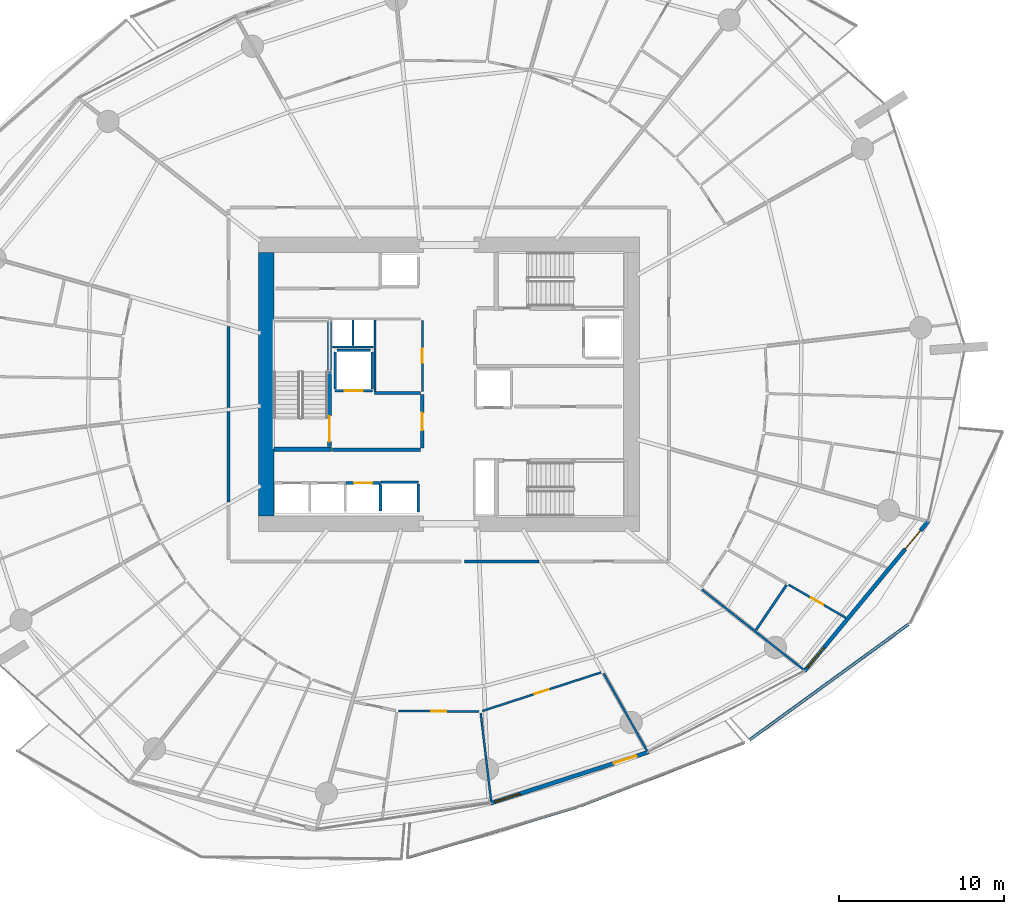
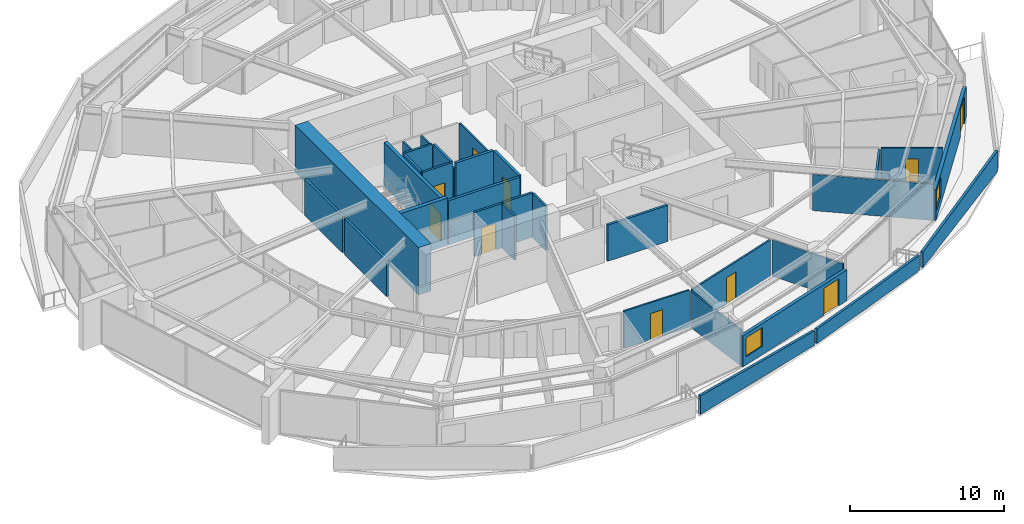
# One storey, part 19 of 30: 33 walls, 10 doors, 2 windows, 12 openings.
"""IFC4 building model written with IfcOpenShell, lengths in metres."""

from ifc_helpers import new_model, si_unit, direction, frame, frame_2d, origin, place, context, subcontext, project, spatial, polyline, rectangle, outline, extrude, material, layer, layer_set, type_object, element, fill, save


model = new_model("IFC4")

# Units and contexts
model_context = context("Model", 3, precision=1e-05, world=origin(), true_north=direction((0.0, 1.0)))
body_context = subcontext(model_context, "Body", "Model", "MODEL_VIEW")
ifc_project = project(units=[si_unit("LENGTHUNIT", "METRE"), si_unit("AREAUNIT", "SQUARE_METRE"), si_unit("VOLUMEUNIT", "CUBIC_METRE"), si_unit("PLANEANGLEUNIT", "RADIAN"), si_unit("MASSUNIT", "GRAM", prefix="KILO")], contexts=[model_context])

# Site, building, storey
site_placement = place(None, origin())
site = spatial("IfcSite", under=ifc_project, at=site_placement, CompositionType="ELEMENT")
building_placement = place(site_placement, origin())
building = spatial("IfcBuilding", under=site, at=building_placement, Name="Kazma Halo Residences", CompositionType="ELEMENT")
storey_placement = place(building_placement, frame((0.0, 0.0, 56.39990234375)))
storey = spatial("IfcBuildingStorey", under=building, at=storey_placement, Name="L13", CompositionType="ELEMENT", Elevation=56.39990234375)

# Walls
ifc_material_1 = material(Name="White Concrete C50/60 Balustrade", Category="concrete")
ifc_layer_1 = layer(ifc_material_1, 0.179931640625)
ifc_layer_set_1 = layer_set([ifc_layer_1], Name="White Concrete C50/60 Balustrade")
wall_type_1 = type_object("IfcWallType", Name="WL-BAL-WAVE-180", PredefinedType="PARAPET", material=ifc_layer_set_1)
wall_1_placement = place(storey_placement, frame((45.91259765625, 13.2294921875, 0.0), z_axis=(0.0, 0.0, 1.0), x_axis=(0.957966698042, 0.286879426664, 0.0)))
element("IfcWall", 1, at=wall_1_placement, inside=storey, type_object=wall_type_1, Name="L13 white wave balustrade wall SSE.1", PredefinedType="PARAPET", context=body_context, shape_type="SweptSolid", body=[
    extrude(outline(polyline([(0.0, 0.0), (10.758544921875, 0.0), (10.7587890625, 1.148193359375), (5.37939453125, 1.2841796875), (0.0, 1.483154296875), (0.0, 0.0)])), frame((0.0, 0.08984375, 0.0), z_axis=(0.0, -1.0, 0.0), x_axis=(1.0, 0.0, 0.0)), (0.0, 0.0, 1.0), 0.179931640625),
])
wall_2_placement = place(storey_placement, frame((56.446044921875, 16.393798828125, 0.0), z_axis=(0.0, 0.0, 1.0), x_axis=(0.932670029618, 0.360730669409, 0.0)))
element("IfcWall", 2, at=wall_2_placement, inside=storey, type_object=wall_type_1, Name="L13 white wave balustrade wall SSE.2", PredefinedType="PARAPET", context=body_context, shape_type="SweptSolid", body=[
    extrude(outline(polyline([(0.0, 0.0), (10.634521484375, 0.0), (10.634521484375, 1.22412109375), (5.3173828125, 1.127197265625), (0.0, 1.148193359375), (0.0, 0.0)])), frame((0.0, 0.08984375, 0.0), z_axis=(0.0, -1.0, 0.0), x_axis=(1.0, 0.0, 0.0)), (0.0, 0.0, 1.0), 0.179931640625),
])
wall_3_placement = place(storey_placement, frame((66.690673828125, 20.384765625, 0.0), z_axis=(0.0, 0.0, 1.0), x_axis=(0.808711385096, 0.588205657586, 0.0)))
element("IfcWall", 3, at=wall_3_placement, inside=storey, type_object=wall_type_1, Name="L13 white wave balustrade wall SE.1", PredefinedType="PARAPET", context=body_context, shape_type="SweptSolid", body=[
    extrude(outline(polyline([(0.0, 0.0), (11.96875, 0.0), (11.968505859375, 1.632080078125), (5.984375, 1.418212890625), (0.0, 1.233154296875), (0.0, 0.0)])), frame((0.0, 0.08984375, 0.0), z_axis=(0.0, -1.0, 0.0), x_axis=(1.0, 0.0, 0.0)), (0.0, 0.0, 1.0), 0.179931640625),
])
ifc_material_2 = material(Name="Concrete C80/95", Category="concrete")
ifc_layer_2 = layer(ifc_material_2, 0.949951171875)
ifc_layer_set_2 = layer_set([ifc_layer_2], Name="Concrete C80/95")
wall_type_2 = type_object("IfcWallType", Name="WL-CORE-950", PredefinedType="SHEAR", material=ifc_layer_set_2)
wall_4_placement = place(storey_placement, frame((37.324951171875, 34.0, 0.0), z_axis=(0.0, 0.0, 1.0), x_axis=(0.0, 1.0, 0.0)))
element("IfcWall", 4, at=wall_4_placement, inside=storey, type_object=wall_type_2, Name="L13 central core shear wall W", PredefinedType="SHEAR", context=body_context, shape_type="SweptSolid", body=[
    extrude(rectangle(XDim=16.0, YDim=0.949951171875, at=frame_2d((8.0, 0.0))), origin(), (0.0, 0.0, 1.0), 3.75),
])
ifc_material_3 = material(Name="Concrete C60/75", Category="concrete")
ifc_layer_3 = layer(ifc_material_3, 0.280029296875)
ifc_layer_set_3 = layer_set([ifc_layer_3], Name="Concrete C60/75")
wall_type_3 = type_object("IfcWallType", Name="WL-CORE-ST-280", PredefinedType="SHEAR", material=ifc_layer_set_3)
wall_5_placement = place(storey_placement, frame((37.800048828125, 38.06005859375, 0.0), z_axis=(0.0, 0.0, 1.0), x_axis=(1.0, 0.0, 0.0)))
element("IfcWall", 5, at=wall_5_placement, inside=storey, type_object=wall_type_3, Name="L13 stairwell bearing wall ST01-S", PredefinedType="SHEAR", context=body_context, shape_type="SweptSolid", body=[
    extrude(rectangle(XDim=3.5, YDim=0.280029296875, at=frame_2d((1.75, 0.0))), origin(), (0.0, 0.0, 1.0), 3.75),
])
ifc_material_4 = material(Name="Acoustic Twin-Stud Gypsum")
ifc_layer_4 = layer(ifc_material_4, 0.179931640625)
ifc_layer_set_4 = layer_set([ifc_layer_4], Name="Acoustic Twin-Stud Gypsum")
wall_type_4 = type_object("IfcWallType", Name="WL-DEM-180", PredefinedType="PARTITIONING", material=ifc_layer_set_4)
wall_6_placement = place(storey_placement, frame((35.050048828125, 45.5322265625, 0.0), z_axis=(0.0, 0.0, 1.0), x_axis=(0.0, -1.0, 0.0)))
element("IfcWall", 6, at=wall_6_placement, inside=storey, type_object=wall_type_4, Name="L13 Apartment 2 inner wall 6", PredefinedType="PARTITIONING", context=body_context, shape_type="SweptSolid", body=[
    extrude(rectangle(XDim=4.94482421875, YDim=0.179931640625, at=frame_2d((2.472412109375, 0.0))), origin(), (0.0, 0.0, 1.0), 2.8671875),
])
wall_7_placement = place(storey_placement, frame((35.050048828125, 40.347412109375, 0.0), z_axis=(0.0, 0.0, 1.0), x_axis=(0.0, -1.0, 0.0)))
element("IfcWall", 7, at=wall_7_placement, inside=storey, type_object=wall_type_4, Name="L13 Apartment 2 inner wall 7", PredefinedType="PARTITIONING", context=body_context, shape_type="SweptSolid", body=[
    extrude(rectangle(XDim=5.479736328125, YDim=0.179931640625, at=frame_2d((2.73974609375, 0.0))), origin(), (0.0, 0.0, 1.0), 2.8671875),
])
wall_8_placement = place(storey_placement, frame((49.392333984375, 31.25, 0.0), z_axis=(0.0, 0.0, 1.0), x_axis=(1.0, 0.0, 0.0)))
element("IfcWall", 8, at=wall_8_placement, inside=storey, type_object=wall_type_4, Name="L13 Apartment 3 inner wall 11", PredefinedType="PARTITIONING", context=body_context, shape_type="SweptSolid", body=[
    extrude(rectangle(XDim=4.508056640625, YDim=0.179931640625, at=frame_2d((2.25390625, 0.0))), origin(), (0.0, 0.0, 1.0), 2.8671875),
])

# Wall, openings, door, window
ifc_material_5 = material(Name="Insulated Pale-Metal Composite Wall")
ifc_layer_5 = layer(ifc_material_5, 0.239990234375)
ifc_layer_set_5 = layer_set([ifc_layer_5], Name="Insulated Pale-Metal Composite Wall")
wall_type_5 = type_object("IfcWallType", Name="WL-EXT-HOST-240", PredefinedType="SOLIDWALL", material=ifc_layer_set_5)
wall_9_placement = place(storey_placement, frame((50.9638671875, 16.54150390625, 0.0), z_axis=(0.0, 0.0, 1.0), x_axis=(0.951054679225, 0.309022648238, 0.0)))
wall_9 = element("IfcWall", 9, at=wall_9_placement, inside=storey, type_object=wall_type_5, Name="L13 exterior terrace-access wall B12", PredefinedType="SOLIDWALL", context=body_context, shape_type="SweptSolid", body=[
    extrude(rectangle(XDim=10.0966796875, YDim=0.239990234375, at=frame_2d((5.04833984375, 0.0))), origin(), (0.0, 0.0, 1.0), 2.4501953125),
])
opening_1_placement = place(wall_9_placement, frame((7.876708984375, 0.0, 0.0)))
opening_1 = element("IfcOpeningElement", 10, at=opening_1_placement, cuts=wall_9, Name="Opening DTR-1600", PredefinedType="OPENING", context=body_context, shape_type="SweptSolid", body=[
    extrude(rectangle(XDim=1.449951171875, YDim=2.14990234375, at=frame_2d((0.72509765625, 1.074951171875))), frame((0.0, 0.1298828125, 0.0), z_axis=(0.0, -1.0, 0.0), x_axis=(1.0, 0.0, 0.0)), (0.0, 0.0, 1.0), 0.260009765625),
])
opening_2_placement = place(wall_9_placement, frame((0.280029296875, 0.0, 0.64990234375)))
opening_2 = element("IfcOpeningElement", 11, at=opening_2_placement, cuts=wall_9, Name="Opening W-1800", PredefinedType="OPENING", context=body_context, shape_type="SweptSolid", body=[
    extrude(rectangle(XDim=1.60009765625, YDim=1.5, at=frame_2d((0.800048828125, 0.75))), frame((0.0, 0.1298828125, 0.0), z_axis=(0.0, -1.0, 0.0), x_axis=(1.0, 0.0, 0.0)), (0.0, 0.0, 1.0), 0.260009765625),
])
ifc_material_6 = material(Name="Aluminium AW-6063 T6 Double-Glazed Terrace Door", Category="aluminium")
door_type_1 = type_object("IfcDoorType", Name="DR-EXT-TERR-1600", OperationType="NOTDEFINED", PredefinedType="DOOR", material=ifc_material_6)
door_1_placement = place(opening_1_placement, origin())
door_1 = element("IfcDoor", 12, at=door_1_placement, inside=storey, type_object=door_type_1, Name="L13 B12 balcony terrace door", OperationType="DOUBLE_DOOR_SLIDING", OverallHeight=2.14990234375, OverallWidth=1.449951171875, PredefinedType="DOOR", context=body_context, shape_type="SweptSolid", body=[
    extrude(rectangle(XDim=1.449951171875, YDim=2.14990234375, at=frame_2d((0.72509765625, 1.074951171875))), frame((0.0, 0.02490234375, 0.0), z_axis=(0.0, -1.0, 0.0), x_axis=(1.0, 0.0, 0.0)), (0.0, 0.0, 1.0), 0.050048828125),
])
fill(opening_1, door_1)
ifc_material_7 = material(Name="Clear Triple-Silver Low-E Glass in Aluminium AW-6063 T6 Frame", Category="aluminium")
window_type = type_object("IfcWindowType", Name="WIN-RES-1800", PartitioningType="DOUBLE_PANEL_VERTICAL", PredefinedType="WINDOW", material=ifc_material_7)
window_1_placement = place(opening_2_placement, origin())
window_1 = element("IfcWindow", 13, at=window_1_placement, inside=storey, type_object=window_type, Name="L13 B12 apartment window", OverallHeight=1.5, OverallWidth=1.60009765625, PartitioningType="SINGLE_PANEL", PredefinedType="WINDOW", context=body_context, shape_type="SweptSolid", body=[
    extrude(rectangle(XDim=1.60009765625, YDim=1.5, at=frame_2d((0.800048828125, 0.75))), frame((0.0, 0.030029296875, 0.0), z_axis=(0.0, -1.0, 0.0), x_axis=(1.0, 0.0, 0.0)), (0.0, 0.0, 1.0), 0.06005859375),
])
fill(opening_2, window_1)

wall_10_placement = place(storey_placement, frame((70.033203125, 24.566650390625, 0.0), z_axis=(0.0, 0.0, 1.0), x_axis=(0.636674332663, 0.771132799281, 0.0)))
wall_10 = element("IfcWall", 14, at=wall_10_placement, inside=storey, type_object=wall_type_5, Name="L13 exterior terrace-access wall B14", PredefinedType="SOLIDWALL", context=body_context, shape_type="SweptSolid", body=[
    extrude(rectangle(XDim=11.851318359375, YDim=0.239990234375, at=frame_2d((5.92578125, 0.0))), origin(), (0.0, 0.0, 1.0), 2.4501953125),
])
opening_3_placement = place(wall_10_placement, frame((9.631103515625, 0.0, 0.0)))
opening_3 = element("IfcOpeningElement", 15, at=opening_3_placement, cuts=wall_10, Name="Opening DTR-1600", PredefinedType="OPENING", context=body_context, shape_type="SweptSolid", body=[
    extrude(rectangle(XDim=1.449951171875, YDim=2.14990234375, at=frame_2d((0.72509765625, 1.074951171875))), frame((0.0, 0.1298828125, 0.0), z_axis=(0.0, -1.0, 0.0), x_axis=(1.0, 0.0, 0.0)), (0.0, 0.0, 1.0), 0.260009765625),
])
opening_4_placement = place(wall_10_placement, frame((0.280029296875, 0.0, 0.64990234375)))
opening_4 = element("IfcOpeningElement", 16, at=opening_4_placement, cuts=wall_10, Name="Opening W-1800", PredefinedType="OPENING", context=body_context, shape_type="SweptSolid", body=[
    extrude(rectangle(XDim=1.60009765625, YDim=1.5, at=frame_2d((0.800048828125, 0.75))), frame((0.0, 0.1298828125, 0.0), z_axis=(0.0, -1.0, 0.0), x_axis=(1.0, 0.0, 0.0)), (0.0, 0.0, 1.0), 0.260009765625),
])
door_2_placement = place(opening_3_placement, origin())
door_2 = element("IfcDoor", 17, at=door_2_placement, inside=storey, type_object=door_type_1, Name="L13 B14 balcony terrace door", OperationType="DOUBLE_DOOR_SLIDING", OverallHeight=2.14990234375, OverallWidth=1.449951171875, PredefinedType="DOOR", context=body_context, shape_type="SweptSolid", body=[
    extrude(rectangle(XDim=1.449951171875, YDim=2.14990234375, at=frame_2d((0.72509765625, 1.074951171875))), frame((0.0, 0.02490234375, 0.0), z_axis=(0.0, -1.0, 0.0), x_axis=(1.0, 0.0, 0.0)), (0.0, 0.0, 1.0), 0.050048828125),
])
fill(opening_3, door_2)
window_2_placement = place(opening_4_placement, origin())
window_2 = element("IfcWindow", 18, at=window_2_placement, inside=storey, type_object=window_type, Name="L13 B14 apartment window", OverallHeight=1.5, OverallWidth=1.60009765625, PartitioningType="SINGLE_PANEL", PredefinedType="WINDOW", context=body_context, shape_type="SweptSolid", body=[
    extrude(rectangle(XDim=1.60009765625, YDim=1.5, at=frame_2d((0.800048828125, 0.75))), frame((0.0, 0.030029296875, 0.0), z_axis=(0.0, -1.0, 0.0), x_axis=(1.0, 0.0, 0.0)), (0.0, 0.0, 1.0), 0.06005859375),
])
fill(opening_4, window_2)

# Wall, opening, door
ifc_material_8 = material(Name="Fire-Rated Blockwork Masonry", Category="masonry")
ifc_layer_6 = layer(ifc_material_8, 0.199951171875)
ifc_layer_set_6 = layer_set([ifc_layer_6], Name="Fire-Rated Blockwork Masonry")
wall_type_6 = type_object("IfcWallType", Name="WL-FLB-200", PredefinedType="PARTITIONING", material=ifc_layer_set_6)
wall_11_placement = place(storey_placement, frame((42.1650390625, 36.0048828125, 0.0), z_axis=(0.0, 0.0, 1.0), x_axis=(1.0, 0.0, 0.0)))
wall_11 = element("IfcWall", 19, at=wall_11_placement, inside=storey, type_object=wall_type_6, Name="L13 lift shaft PL-03 front wall", PredefinedType="PARTITIONING", context=body_context, shape_type="SweptSolid", body=[
    extrude(rectangle(XDim=2.10986328125, YDim=0.159912109375, at=frame_2d((1.054931640625, 0.0))), origin(), (0.0, 0.0, 1.0), 3.5),
])
opening_5_placement = place(wall_11_placement, frame((0.5048828125, 0.0, 0.0)))
opening_5 = element("IfcOpeningElement", 20, at=opening_5_placement, cuts=wall_11, Name="Opening LD-PL-03", PredefinedType="OPENING", context=body_context, shape_type="SweptSolid", body=[
    extrude(rectangle(XDim=1.10009765625, YDim=2.10009765625, at=frame_2d((0.550048828125, 1.050048828125))), frame((0.0, 0.08984375, 0.0), z_axis=(0.0, -1.0, 0.0), x_axis=(1.0, 0.0, 0.0)), (0.0, 0.0, 1.0), 0.179931640625),
])
ifc_material_9 = material(Name="Stainless Steel Fire-Rated", Category="steel")
door_type_2 = type_object("IfcDoorType", Name="DR-LIFT-SLD-1100", OperationType="DOUBLE_DOOR_SLIDING", PredefinedType="DOOR", material=ifc_material_9)
door_3_placement = place(opening_5_placement, origin())
door_3 = element("IfcDoor", 21, at=door_3_placement, inside=storey, type_object=door_type_2, Name="L13 lift PL-03 sliding landing door", OperationType="DOUBLE_DOOR_SLIDING", OverallHeight=2.10009765625, OverallWidth=1.10009765625, PredefinedType="DOOR", context=body_context, shape_type="SweptSolid", body=[
    extrude(rectangle(XDim=1.10009765625, YDim=2.10009765625, at=frame_2d((0.550048828125, 1.050048828125))), frame((0.0, 0.02490234375, 0.0), z_axis=(0.0, -1.0, 0.0), x_axis=(1.0, 0.0, 0.0)), (0.0, 0.0, 1.0), 0.050048828125),
])
fill(opening_5, door_3)

# Walls
wall_12_placement = place(storey_placement, frame((44.27490234375, 34.294921875, 0.0), z_axis=(0.0, 0.0, 1.0), x_axis=(0.0, 1.0, 0.0)))
element("IfcWall", 22, at=wall_12_placement, inside=storey, type_object=wall_type_6, Name="L13 lift shaft PL-03 side wall E", PredefinedType="PARTITIONING", context=body_context, shape_type="SweptSolid", body=[
    extrude(rectangle(XDim=1.610107421875, YDim=0.159912109375, at=frame_2d((0.80517578125, 0.0))), origin(), (0.0, 0.0, 1.0), 3.5),
])
wall_13_placement = place(storey_placement, frame((44.320068359375, 36.054931640625, 0.0), z_axis=(0.0, 0.0, 1.0), x_axis=(1.0, 0.0, 0.0)))
element("IfcWall", 23, at=wall_13_placement, inside=storey, type_object=wall_type_6, Name="L13 lift shaft PX-02 front wall", PredefinedType="PARTITIONING", context=body_context, shape_type="SweptSolid", body=[
    extrude(rectangle(XDim=2.260009765625, YDim=0.159912109375, at=frame_2d((1.1298828125, 0.0))), origin(), (0.0, 0.0, 1.0), 3.5),
])
wall_14_placement = place(storey_placement, frame((46.580078125, 34.2451171875, 0.0), z_axis=(0.0, 0.0, 1.0), x_axis=(0.0, 1.0, 0.0)))
element("IfcWall", 24, at=wall_14_placement, inside=storey, type_object=wall_type_6, Name="L13 lift shaft PX-02 side wall E", PredefinedType="PARTITIONING", context=body_context, shape_type="SweptSolid", body=[
    extrude(rectangle(XDim=1.7099609375, YDim=0.159912109375, at=frame_2d((0.85498046875, 0.0))), origin(), (0.0, 0.0, 1.0), 3.5),
])

# Wall, opening, door
wall_15_placement = place(storey_placement, frame((43.780029296875, 41.6201171875, 0.0), z_axis=(0.0, 0.0, 1.0), x_axis=(-1.0, 0.0, 0.0)))
wall_15 = element("IfcWall", 25, at=wall_15_placement, inside=storey, type_object=wall_type_6, Name="L13 lift shaft FL-01 front wall", PredefinedType="PARTITIONING", context=body_context, shape_type="SweptSolid", body=[
    extrude(rectangle(XDim=2.260009765625, YDim=0.159912109375, at=frame_2d((1.1298828125, 0.0))), origin(), (0.0, 0.0, 1.0), 3.5),
])
opening_6_placement = place(wall_15_placement, frame((0.580078125, 0.0, 0.0)))
opening_6 = element("IfcOpeningElement", 26, at=opening_6_placement, cuts=wall_15, Name="Opening LD-FL-01", PredefinedType="OPENING", context=body_context, shape_type="SweptSolid", body=[
    extrude(rectangle(XDim=1.10009765625, YDim=2.10009765625, at=frame_2d((0.550048828125, 1.050048828125))), frame((0.0, 0.08984375, 0.0), z_axis=(0.0, -1.0, 0.0), x_axis=(1.0, 0.0, 0.0)), (0.0, 0.0, 1.0), 0.179931640625),
])
door_4_placement = place(opening_6_placement, origin())
door_4 = element("IfcDoor", 27, at=door_4_placement, inside=storey, type_object=door_type_2, Name="L13 lift FL-01 sliding landing door", OperationType="DOUBLE_DOOR_SLIDING", OverallHeight=2.10009765625, OverallWidth=1.10009765625, PredefinedType="DOOR", context=body_context, shape_type="SweptSolid", body=[
    extrude(rectangle(XDim=1.10009765625, YDim=2.10009765625, at=frame_2d((0.550048828125, 1.050048828125))), frame((0.0, 0.02490234375, 0.0), z_axis=(0.0, -1.0, 0.0), x_axis=(1.0, 0.0, 0.0)), (0.0, 0.0, 1.0), 0.050048828125),
])
fill(opening_6, door_4)

# Walls
for number, where, z_axis, x_axis, name in (
    (28, (43.780029296875, 41.719970703125, 0.0), (0.0, 0.0, 1.0), (0.0, 1.0, 0.0), "L13 lift shaft FL-01 side wall E"),
    (29, (41.52001953125, 41.719970703125, 0.0), (0.0, 0.0, 1.0), (0.0, 1.0, 0.0), "L13 lift shaft FL-01 side wall W"),
):
    element("IfcWall", number, at=place(storey_placement, frame(where, z_axis=z_axis, x_axis=x_axis)), inside=storey, type_object=wall_type_6, Name=name, PredefinedType="PARTITIONING", context=body_context, shape_type="SweptSolid", body=[
        extrude(rectangle(XDim=2.260009765625, YDim=0.159912109375, at=frame_2d((1.1298828125, 0.0))), origin(), (0.0, 0.0, 1.0), 3.5),
    ])
wall_16_placement = place(storey_placement, frame((41.6201171875, 44.080078125, 0.0), z_axis=(0.0, 0.0, 1.0), x_axis=(1.0, 0.0, 0.0)))
element("IfcWall", 30, at=wall_16_placement, inside=storey, type_object=wall_type_6, Name="L13 lift shaft FL-01 side wall N", PredefinedType="PARTITIONING", context=body_context, shape_type="SweptSolid", body=[
    extrude(rectangle(XDim=2.059814453125, YDim=0.159912109375, at=frame_2d((1.02978515625, 0.0))), origin(), (0.0, 0.0, 1.0), 3.5),
])
wall_17_placement = place(storey_placement, frame((41.35009765625, 38.02001953125, 0.0), z_axis=(0.0, 0.0, 1.0), x_axis=(1.0, 0.0, 0.0)))
element("IfcWall", 31, at=wall_17_placement, inside=storey, type_object=wall_type_6, Name="L13 west firefighting lobby south smoke wall", PredefinedType="PARTITIONING", context=body_context, shape_type="SweptSolid", body=[
    extrude(rectangle(XDim=5.369873046875, YDim=0.199951171875, at=frame_2d((2.68505859375, 0.0))), origin(), (0.0, 0.0, 1.0), 3.5),
])
wall_18_placement = place(storey_placement, frame((43.919921875, 41.47998046875, 0.0), z_axis=(0.0, 0.0, 1.0), x_axis=(1.0, 0.0, 0.0)))
element("IfcWall", 32, at=wall_18_placement, inside=storey, type_object=wall_type_6, Name="L13 west firefighting lobby north smoke wall", PredefinedType="PARTITIONING", context=body_context, shape_type="SweptSolid", body=[
    extrude(rectangle(XDim=2.800048828125, YDim=0.199951171875, at=frame_2d((1.39990234375, 0.0))), origin(), (0.0, 0.0, 1.0), 3.5),
])

# Wall, opening, door
wall_19_placement = place(storey_placement, frame((46.820068359375, 38.1201171875, 0.0), z_axis=(0.0, 0.0, 1.0), x_axis=(0.0, 1.0, 0.0)))
wall_19 = element("IfcWall", 33, at=wall_19_placement, inside=storey, type_object=wall_type_6, Name="L13 west firefighting lobby smoke wall", PredefinedType="PARTITIONING", context=body_context, shape_type="SweptSolid", body=[
    extrude(rectangle(XDim=3.259765625, YDim=0.199951171875, at=frame_2d((1.6298828125, 0.0))), origin(), (0.0, 0.0, 1.0), 3.5),
])
opening_7_placement = place(wall_19_placement, frame((1.10498046875, 0.0, 0.0)))
opening_7 = element("IfcOpeningElement", 34, at=opening_7_placement, cuts=wall_19, Name="Opening D-FLW", PredefinedType="OPENING", context=body_context, shape_type="SweptSolid", body=[
    extrude(rectangle(XDim=1.050048828125, YDim=2.10009765625, at=frame_2d((0.52490234375, 1.050048828125))), frame((0.0, 0.10986328125, 0.0), z_axis=(0.0, -1.0, 0.0), x_axis=(1.0, 0.0, 0.0)), (0.0, 0.0, 1.0), 0.219970703125),
])
ifc_material_10 = material(Name="Fire-Rated Steel Leaf", Category="steel")
door_type_3 = type_object("IfcDoorType", Name="DR-FD90-1050", OperationType="NOTDEFINED", PredefinedType="DOOR", material=ifc_material_10)
door_5_placement = place(opening_7_placement, origin())
door_5 = element("IfcDoor", 35, at=door_5_placement, inside=storey, type_object=door_type_3, Name="L13 west firefighting lobby smoke door", OperationType="SINGLE_SWING_RIGHT", OverallHeight=2.10009765625, OverallWidth=1.050048828125, PredefinedType="DOOR", context=body_context, shape_type="SweptSolid", body=[
    extrude(rectangle(XDim=1.050048828125, YDim=2.10009765625, at=frame_2d((0.52490234375, 1.050048828125))), frame((0.0, 0.02490234375, 0.0), z_axis=(0.0, -1.0, 0.0), x_axis=(1.0, 0.0, 0.0)), (0.0, 0.0, 1.0), 0.050048828125),
])
fill(opening_7, door_5)

# Walls
ifc_material_11 = material(Name="Gypsum Plasterboard Partition")
ifc_layer_7 = layer(ifc_material_11, 0.125)
ifc_layer_set_7 = layer_set([ifc_layer_7], Name="Gypsum Plasterboard Partition")
wall_type_7 = type_object("IfcWallType", Name="WL-PART-125", PredefinedType="PARTITIONING", material=ifc_layer_set_7)
wall_20_placement = place(storey_placement, frame((41.360107421875, 44.260009765625, 0.0), z_axis=(0.0, 0.0, 1.0), x_axis=(1.0, 0.0, 0.0)))
element("IfcWall", 36, at=wall_20_placement, inside=storey, type_object=wall_type_7, Name="L13 core riser south wall", PredefinedType="PARTITIONING", context=body_context, shape_type="SweptSolid", body=[
    extrude(rectangle(XDim=2.5, YDim=0.125, at=frame_2d((1.25, 0.0))), origin(), (0.0, 0.0, 1.0), 2.940185546875),
])
wall_21_placement = place(storey_placement, frame((42.60009765625, 44.35009765625, 0.0), z_axis=(0.0, 0.0, 1.0), x_axis=(0.0, 1.0, 0.0)))
element("IfcWall", 37, at=wall_21_placement, inside=storey, type_object=wall_type_7, Name="L13 core riser divider wall", PredefinedType="PARTITIONING", context=body_context, shape_type="SweptSolid", body=[
    extrude(rectangle(XDim=1.5498046875, YDim=0.125, at=frame_2d((0.77490234375, 0.0))), origin(), (0.0, 0.0, 1.0), 2.940185546875),
])
wall_22_placement = place(storey_placement, frame((43.949951171875, 41.580078125, 0.0), z_axis=(0.0, 0.0, 1.0), x_axis=(0.0, 1.0, 0.0)))
element("IfcWall", 38, at=wall_22_placement, inside=storey, type_object=wall_type_7, Name="L13 core service west wall", PredefinedType="PARTITIONING", context=body_context, shape_type="SweptSolid", body=[
    extrude(rectangle(XDim=4.31982421875, YDim=0.125, at=frame_2d((2.159912109375, 0.0))), origin(), (0.0, 0.0, 1.0), 2.940185546875),
])

# Wall, opening, door
wall_23_placement = place(storey_placement, frame((46.820068359375, 41.580078125, 0.0), z_axis=(0.0, 0.0, 1.0), x_axis=(0.0, 1.0, 0.0)))
wall_23 = element("IfcWall", 39, at=wall_23_placement, inside=storey, type_object=wall_type_7, Name="L13 core service room east wall", PredefinedType="PARTITIONING", context=body_context, shape_type="SweptSolid", body=[
    extrude(rectangle(XDim=4.2998046875, YDim=0.125, at=frame_2d((2.14990234375, 0.0))), origin(), (0.0, 0.0, 1.0), 2.940185546875),
])
opening_8_placement = place(wall_23_placement, frame((1.72509765625, 0.0, 0.0)))
opening_8 = element("IfcOpeningElement", 40, at=opening_8_placement, cuts=wall_23, Name="Opening DS-850", PredefinedType="OPENING", context=body_context, shape_type="SweptSolid", body=[
    extrude(rectangle(XDim=0.85009765625, YDim=2.06005859375, at=frame_2d((0.425048828125, 1.030029296875))), frame((0.0, 0.072509765625, 0.0), z_axis=(0.0, -1.0, 0.0), x_axis=(1.0, 0.0, 0.0)), (0.0, 0.0, 1.0), 0.14501953125),
])
ifc_material_12 = material(Name="Painted Steel Access Leaf", Category="steel")
door_type_4 = type_object("IfcDoorType", Name="DR-SVC-850", OperationType="NOTDEFINED", PredefinedType="DOOR", material=ifc_material_12)
door_6_placement = place(opening_8_placement, origin())
door_6 = element("IfcDoor", 41, at=door_6_placement, inside=storey, type_object=door_type_4, Name="L13 core service room door", OperationType="SINGLE_SWING_RIGHT", OverallHeight=2.06005859375, OverallWidth=0.85009765625, PredefinedType="DOOR", context=body_context, shape_type="SweptSolid", body=[
    extrude(rectangle(XDim=0.85009765625, YDim=2.06005859375, at=frame_2d((0.425048828125, 1.030029296875))), frame((0.0, 0.02490234375, 0.0), z_axis=(0.0, -1.0, 0.0), x_axis=(1.0, 0.0, 0.0)), (0.0, 0.0, 1.0), 0.050048828125),
])
fill(opening_8, door_6)

wall_24_placement = place(storey_placement, frame((45.3623046875, 22.162841796875, 0.0), z_axis=(0.0, 0.0, 1.0), x_axis=(0.999955503148, -0.009433542483, 0.0)))
wall_24 = element("IfcWall", 42, at=wall_24_placement, inside=storey, type_object=wall_type_7, Name="L13 Apartment 3 Gourmet Kitchen hall wall", PredefinedType="PARTITIONING", context=body_context, shape_type="SweptSolid", body=[
    extrude(rectangle(XDim=4.891357421875, YDim=0.125, at=frame_2d((2.44580078125, 0.0))), origin(), (0.0, 0.0, 1.0), 2.940185546875),
])
opening_9_placement = place(wall_24_placement, frame((1.995849609375, 0.0, 0.0)))
opening_9 = element("IfcOpeningElement", 43, at=opening_9_placement, cuts=wall_24, Name="Opening DI-950", PredefinedType="OPENING", context=body_context, shape_type="SweptSolid", body=[
    extrude(rectangle(XDim=0.89990234375, YDim=2.080078125, at=frame_2d((0.449951171875, 1.0400390625))), frame((0.0, 0.072509765625, 0.0), z_axis=(0.0, -1.0, 0.0), x_axis=(1.0, 0.0, 0.0)), (0.0, 0.0, 1.0), 0.14501953125),
])
ifc_material_13 = material(Name="Timber Veneer Flush Leaf", Category="wood")
door_type_5 = type_object("IfcDoorType", Name="DR-INT-950", OperationType="NOTDEFINED", PredefinedType="DOOR", material=ifc_material_13)
door_7_placement = place(opening_9_placement, origin())
door_7 = element("IfcDoor", 44, at=door_7_placement, inside=storey, type_object=door_type_5, Name="L13 Apartment 3 Gourmet Kitchen door", OperationType="SINGLE_SWING_RIGHT", OverallHeight=2.080078125, OverallWidth=0.89990234375, PredefinedType="DOOR", context=body_context, shape_type="SweptSolid", body=[
    extrude(rectangle(XDim=0.89990234375, YDim=2.080078125, at=frame_2d((0.449951171875, 1.0400390625))), frame((0.0, 0.02490234375, 0.0), z_axis=(0.0, -1.0, 0.0), x_axis=(1.0, 0.0, 0.0)), (0.0, 0.0, 1.0), 0.050048828125),
])
fill(opening_9, door_7)

# Walls
wall_25_placement = place(storey_placement, frame((50.365234375, 22.0166015625, 0.0), z_axis=(0.0, 0.0, 1.0), x_axis=(0.117503830854, -0.993072429249, 0.0)))
element("IfcWall", 45, at=wall_25_placement, inside=storey, type_object=wall_type_7, Name="L13 Apartment 3 radial partition 11", PredefinedType="PARTITIONING", context=body_context, shape_type="SweptSolid", body=[
    extrude(rectangle(XDim=5.47265625, YDim=0.125, at=frame_2d((2.736328125, 0.0))), origin(), (0.0, 0.0, 1.0), 2.8671875),
])
wall_26_placement = place(storey_placement, frame((57.83251953125, 24.44287109375, 0.0), z_axis=(0.0, 0.0, 1.0), x_axis=(0.488618589391, -0.872497492318, 0.0)))
element("IfcWall", 46, at=wall_26_placement, inside=storey, type_object=wall_type_7, Name="L13 Apartment 3 living radial partition 11", PredefinedType="PARTITIONING", context=body_context, shape_type="SweptSolid", body=[
    extrude(rectangle(XDim=5.372802734375, YDim=0.125, at=frame_2d((2.6865234375, 0.0))), origin(), (0.0, 0.0, 1.0), 2.8671875),
])

# Wall, opening, door
wall_27_placement = place(storey_placement, frame((50.4580078125, 22.14990234375, 0.0), z_axis=(0.0, 0.0, 1.0), x_axis=(0.951061002784, 0.309003186042, 0.0)))
wall_27 = element("IfcWall", 47, at=wall_27_placement, inside=storey, type_object=wall_type_7, Name="L13 Apartment 3 East Master Bedroom gallery wall", PredefinedType="PARTITIONING", context=body_context, shape_type="SweptSolid", body=[
    extrude(rectangle(XDim=7.5927734375, YDim=0.125, at=frame_2d((3.79638671875, 0.0))), origin(), (0.0, 0.0, 1.0), 2.8671875),
])
opening_10_placement = place(wall_27_placement, frame((3.34619140625, 0.0, 0.0)))
opening_10 = element("IfcOpeningElement", 48, at=opening_10_placement, cuts=wall_27, Name="Opening DI-950", PredefinedType="OPENING", context=body_context, shape_type="SweptSolid", body=[
    extrude(rectangle(XDim=0.89990234375, YDim=2.080078125, at=frame_2d((0.449951171875, 1.0400390625))), frame((0.0, 0.072509765625, 0.0), z_axis=(0.0, -1.0, 0.0), x_axis=(1.0, 0.0, 0.0)), (0.0, 0.0, 1.0), 0.14501953125),
])
door_8_placement = place(opening_10_placement, origin())
door_8 = element("IfcDoor", 49, at=door_8_placement, inside=storey, type_object=door_type_5, Name="L13 Apartment 3 East Master Bedroom door", OperationType="SINGLE_SWING_LEFT", OverallHeight=2.080078125, OverallWidth=0.89990234375, PredefinedType="DOOR", context=body_context, shape_type="SweptSolid", body=[
    extrude(rectangle(XDim=0.89990234375, YDim=2.080078125, at=frame_2d((0.449951171875, 1.0400390625))), frame((0.0, 0.02490234375, 0.0), z_axis=(0.0, -1.0, 0.0), x_axis=(1.0, 0.0, 0.0)), (0.0, 0.0, 1.0), 0.050048828125),
])
fill(opening_10, door_8)

# Wall
wall_28_placement = place(storey_placement, frame((63.802978515625, 29.5419921875, 0.0), z_axis=(0.0, 0.0, 1.0), x_axis=(0.785316547054, -0.619094436191, 0.0)))
element("IfcWall", 50, at=wall_28_placement, inside=storey, type_object=wall_type_7, Name="L13 Apartment 3 radial partition 13", PredefinedType="PARTITIONING", context=body_context, shape_type="SweptSolid", body=[
    extrude(rectangle(XDim=7.948974609375, YDim=0.125, at=frame_2d((3.974609375, 0.0))), origin(), (0.0, 0.0, 1.0), 2.8671875),
])

# Wall, opening, door
wall_29_placement = place(storey_placement, frame((69.06982421875, 29.827880859375, 0.0), z_axis=(0.0, 0.0, 1.0), x_axis=(0.865911782311, -0.500196746546, 0.0)))
wall_29 = element("IfcWall", 51, at=wall_29_placement, inside=storey, type_object=wall_type_7, Name="L13 Apartment 3 North Walk-In Wardrobe partition wall", PredefinedType="PARTITIONING", context=body_context, shape_type="SweptSolid", body=[
    extrude(rectangle(XDim=4.02490234375, YDim=0.125, at=frame_2d((2.012451171875, 0.0))), origin(), (0.0, 0.0, 1.0), 2.940185546875),
])
opening_11_placement = place(wall_29_placement, frame((1.58740234375, 0.0, 0.0)))
opening_11 = element("IfcOpeningElement", 52, at=opening_11_placement, cuts=wall_29, Name="Opening DB-900", PredefinedType="OPENING", context=body_context, shape_type="SweptSolid", body=[
    extrude(rectangle(XDim=0.85009765625, YDim=2.06005859375, at=frame_2d((0.425048828125, 1.030029296875))), frame((0.0, 0.072509765625, 0.0), z_axis=(0.0, -1.0, 0.0), x_axis=(1.0, 0.0, 0.0)), (0.0, 0.0, 1.0), 0.14501953125),
])
ifc_material_14 = material(Name="Moisture-Sealed Timber Leaf", Category="wood")
door_type_6 = type_object("IfcDoorType", Name="DR-BTH-900", OperationType="NOTDEFINED", PredefinedType="DOOR", material=ifc_material_14)
door_9_placement = place(opening_11_placement, origin())
door_9 = element("IfcDoor", 53, at=door_9_placement, inside=storey, type_object=door_type_6, Name="L13 Apartment 3 North Walk-In Wardrobe door", OperationType="SINGLE_SWING_RIGHT", OverallHeight=2.06005859375, OverallWidth=0.85009765625, PredefinedType="DOOR", context=body_context, shape_type="SweptSolid", body=[
    extrude(rectangle(XDim=0.85009765625, YDim=2.06005859375, at=frame_2d((0.425048828125, 1.030029296875))), frame((0.0, 0.02490234375, 0.0), z_axis=(0.0, -1.0, 0.0), x_axis=(1.0, 0.0, 0.0)), (0.0, 0.0, 1.0), 0.050048828125),
])
fill(opening_11, door_9)

ifc_material_15 = material(Name="Concrete C50/60", Category="concrete")
ifc_layer_8 = layer(ifc_material_15, 0.25)
ifc_layer_set_8 = layer_set([ifc_layer_8], Name="Concrete C50/60")
wall_type_8 = type_object("IfcWallType", Name="WL-SHF-250", PredefinedType="SOLIDWALL", material=ifc_layer_set_8)
wall_30_placement = place(storey_placement, frame((41.179931640625, 38.219970703125, 0.0), z_axis=(0.0, 0.0, 1.0), x_axis=(0.0, 1.0, 0.0)))
wall_30 = element("IfcWall", 54, at=wall_30_placement, inside=storey, type_object=wall_type_8, Name="L13 exit stair ST-01 enclosure wall", PredefinedType="SOLIDWALL", context=body_context, shape_type="SweptSolid", body=[
    extrude(rectangle(XDim=7.56005859375, YDim=0.25, at=frame_2d((3.780029296875, 0.0))), origin(), (0.0, 0.0, 1.0), 3.5),
])
opening_12_placement = place(wall_30_placement, frame((0.300048828125, 0.0, 0.0)))
opening_12 = element("IfcOpeningElement", 55, at=opening_12_placement, cuts=wall_30, Name="Opening D-ST1", PredefinedType="OPENING", context=body_context, shape_type="SweptSolid", body=[
    extrude(rectangle(XDim=1.550048828125, YDim=2.14990234375, at=frame_2d((0.77490234375, 1.074951171875))), frame((0.0, 0.135009765625, 0.0), z_axis=(0.0, -1.0, 0.0), x_axis=(1.0, 0.0, 0.0)), (0.0, 0.0, 1.0), 0.27001953125),
])
ifc_material_16 = material(Name="Fire-Rated Double Steel Leaf", Category="steel")
door_type_7 = type_object("IfcDoorType", Name="DR-FD90-1550", OperationType="NOTDEFINED", PredefinedType="DOOR", material=ifc_material_16)
door_10_placement = place(opening_12_placement, origin())
door_10 = element("IfcDoor", 56, at=door_10_placement, inside=storey, type_object=door_type_7, Name="L13 exit stair ST-01 fire door", OperationType="DOUBLE_DOOR_SINGLE_SWING", OverallHeight=2.14990234375, OverallWidth=1.550048828125, PredefinedType="DOOR", context=body_context, shape_type="SweptSolid", body=[
    extrude(rectangle(XDim=1.550048828125, YDim=2.14990234375, at=frame_2d((0.77490234375, 1.074951171875))), frame((0.0, 0.02490234375, 0.0), z_axis=(0.0, -1.0, 0.0), x_axis=(1.0, 0.0, 0.0)), (0.0, 0.0, 1.0), 0.050048828125),
])
fill(opening_12, door_10)

# Wall
ifc_material_17 = material(Name="Moisture-Resistant Gypsum")
ifc_layer_9 = layer(ifc_material_17, 0.14990234375)
ifc_layer_set_9 = layer_set([ifc_layer_9], Name="Moisture-Resistant Gypsum")
wall_type_9 = type_object("IfcWallType", Name="WL-WET-150", PredefinedType="PARTITIONING", material=ifc_layer_set_9)
wall_31_placement = place(storey_placement, frame((67.094482421875, 27.07421875, 0.0), z_axis=(0.0, 0.0, 1.0), x_axis=(0.561136770773, 0.827723096504, 0.0)))
element("IfcWall", 57, at=wall_31_placement, inside=storey, type_object=wall_type_9, Name="L13 Apartment 3 West En-Suite Bathroom back wall", PredefinedType="PARTITIONING", context=body_context, shape_type="SweptSolid", body=[
    extrude(rectangle(XDim=3.29150390625, YDim=0.14990234375, at=frame_2d((1.645751953125, 0.0))), origin(), (0.0, 0.0, 1.0), 2.8671875),
])

save(model, "model.ifc")
